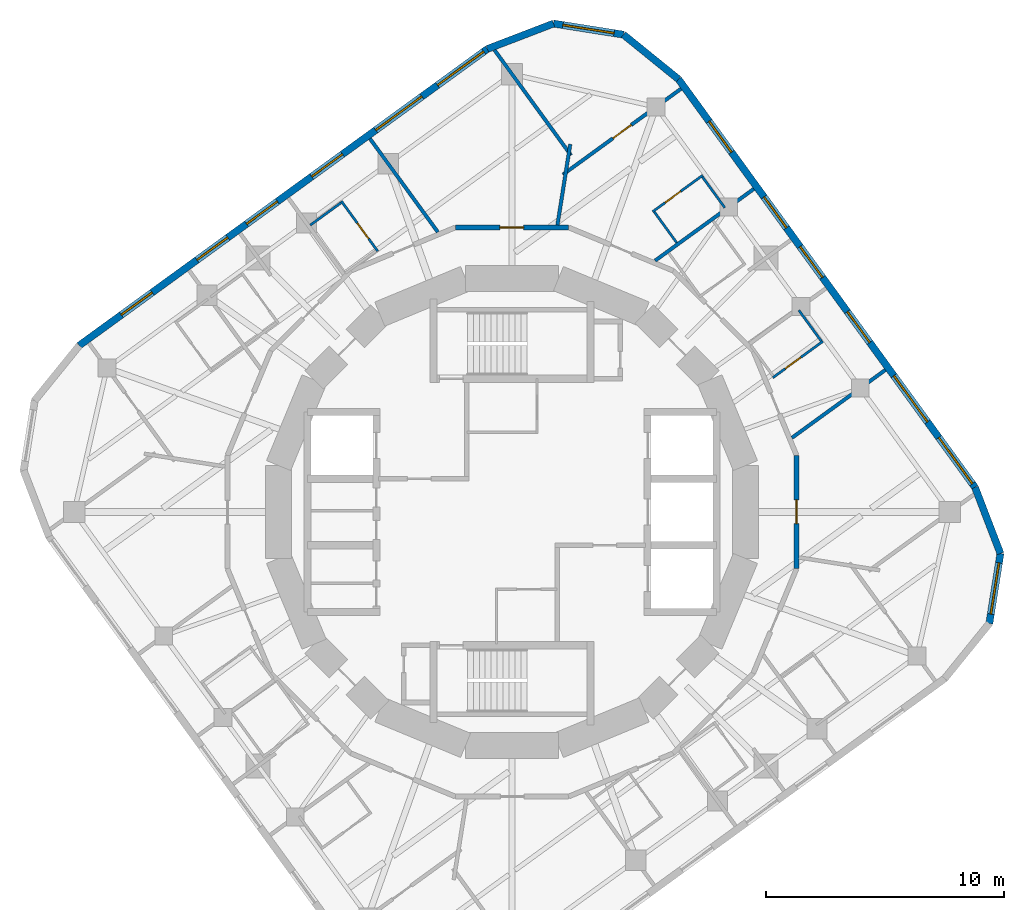
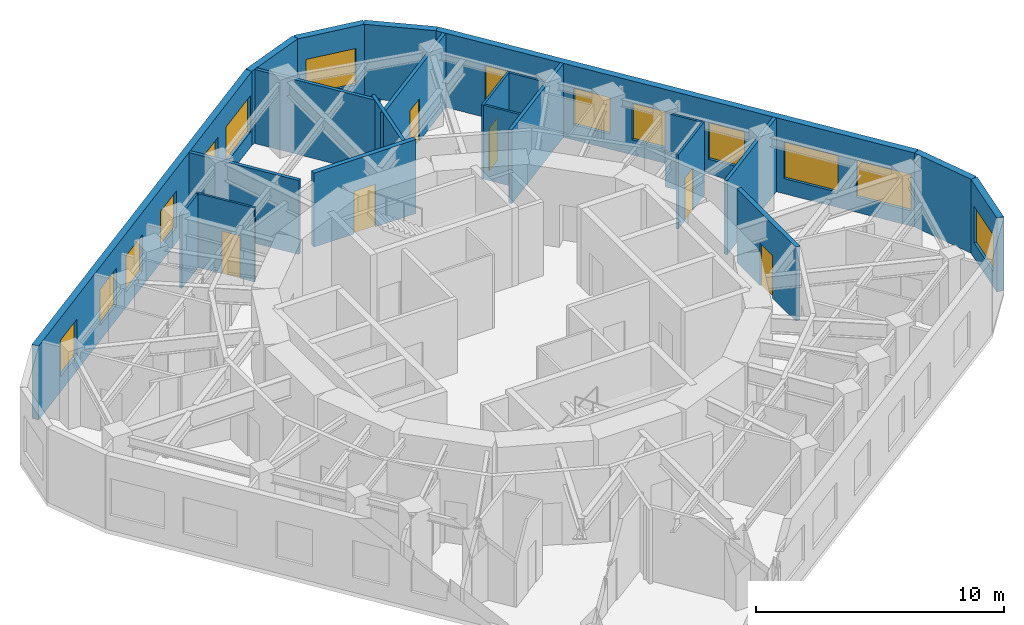
# One storey, part 7 of 9: 22 walls, 14 windows, 6 doors, 20 openings.
"""IFC4 building model written with IfcOpenShell, lengths in metres."""

from ifc_helpers import new_model, si_unit, direction, frame, frame_2d, origin, place, context, subcontext, project, spatial, rectangle, extrude, material, layer, layer_set, type_object, element, fill, save


model = new_model("IFC4")

# Units and contexts
model_context = context("Model", 3, precision=1e-05, world=origin(), true_north=direction((0.0, 1.0)))
body_context = subcontext(model_context, "Body", "Model", "MODEL_VIEW")
ifc_project = project(units=[si_unit("LENGTHUNIT", "METRE"), si_unit("AREAUNIT", "SQUARE_METRE"), si_unit("VOLUMEUNIT", "CUBIC_METRE"), si_unit("PLANEANGLEUNIT", "RADIAN"), si_unit("MASSUNIT", "GRAM", prefix="KILO")], contexts=[model_context])

# Site, building, storey
site_placement = place(None, origin())
site = spatial("IfcSite", under=ifc_project, at=site_placement, CompositionType="ELEMENT")
building_placement = place(site_placement, origin())
building = spatial("IfcBuilding", under=site, at=building_placement, Name="Nakasero Lantern House", CompositionType="ELEMENT")
storey_placement = place(building_placement, frame((0.0, 0.0, 271.449951171875)))
storey = spatial("IfcBuildingStorey", under=building, at=storey_placement, Name="L66", CompositionType="ELEMENT", Elevation=271.449951171875)

# Wall, opening, door
ifc_material_1 = material(Name="Blockwork", Category="masonry")
ifc_layer_1 = layer(ifc_material_1, 0.199951171875)
ifc_layer_set_1 = layer_set([ifc_layer_1], Name="Corridor wall 200")
wall_type_1 = type_object("IfcWallType", Name="Corridor wall 200", PredefinedType="PARTITIONING", material=ifc_layer_set_1)
wall_1_placement = place(storey_placement, frame((11.957763671875, 2.378662109375, 0.0), z_axis=(0.0, 0.0, 1.0), x_axis=(0.0, -1.0, 0.0)))
wall_1 = element("IfcWall", 1, at=wall_1_placement, inside=storey, type_object=wall_type_1, Name="Corridor wall L66 RC00a", PredefinedType="PARTITIONING", context=body_context, shape_type="SweptSolid", body=[
    extrude(rectangle(XDim=4.75732421875, YDim=0.199951171875, at=frame_2d((2.378662109375, 0.0))), origin(), (0.0, 0.0, 1.0), 3.650146484375),
])
opening_1_placement = place(wall_1_placement, frame((1.8701171875, 0.0, 0.0)))
opening_1 = element("IfcOpeningElement", 2, at=opening_1_placement, cuts=wall_1, Name="Opening D03", PredefinedType="OPENING", context=body_context, shape_type="SweptSolid", body=[
    extrude(rectangle(XDim=1.0, YDim=2.10009765625, at=frame_2d((0.5, 1.050048828125))), frame((0.0, 0.119873046875, 0.0), z_axis=(0.0, -1.0, 0.0), x_axis=(1.0, 0.0, 0.0)), (0.0, 0.0, 1.0), 0.239990234375),
])
ifc_material_2 = material(Name="Timber C24", Category="wood")
door_type_1 = type_object("IfcDoorType", Name="Lounge door FD30S 1000", OperationType="SINGLE_SWING_LEFT", PredefinedType="DOOR", material=ifc_material_2)
door_1_placement = place(opening_1_placement, origin())
door_1 = element("IfcDoor", 3, at=door_1_placement, inside=storey, type_object=door_type_1, Name="Door L66 DK0", OperationType="SINGLE_SWING_LEFT", OverallHeight=2.10009765625, OverallWidth=1.0, PredefinedType="DOOR", context=body_context, shape_type="SweptSolid", body=[
    extrude(rectangle(XDim=1.0, YDim=2.10009765625, at=frame_2d((0.5, 1.050048828125))), frame((0.0, 0.02490234375, 0.0), z_axis=(0.0, -1.0, 0.0), x_axis=(1.0, 0.0, 0.0)), (0.0, 0.0, 1.0), 0.050048828125),
])
fill(opening_1, door_1)

wall_2_placement = place(storey_placement, frame((-2.378662109375, 11.957763671875, 0.0), z_axis=(0.0, 0.0, 1.0), x_axis=(1.0, 0.0, 0.0)))
wall_2 = element("IfcWall", 4, at=wall_2_placement, inside=storey, type_object=wall_type_1, Name="Corridor wall L66 RC12a", PredefinedType="PARTITIONING", context=body_context, shape_type="SweptSolid", body=[
    extrude(rectangle(XDim=4.75732421875, YDim=0.199951171875, at=frame_2d((2.378662109375, 0.0))), origin(), (0.0, 0.0, 1.0), 3.650146484375),
])
opening_2_placement = place(wall_2_placement, frame((1.8701171875, 0.0, 0.0)))
opening_2 = element("IfcOpeningElement", 5, at=opening_2_placement, cuts=wall_2, Name="Opening D03", PredefinedType="OPENING", context=body_context, shape_type="SweptSolid", body=[
    extrude(rectangle(XDim=1.0, YDim=2.10009765625, at=frame_2d((0.5, 1.050048828125))), frame((0.0, 0.119873046875, 0.0), z_axis=(0.0, -1.0, 0.0), x_axis=(1.0, 0.0, 0.0)), (0.0, 0.0, 1.0), 0.239990234375),
])
door_2_placement = place(opening_2_placement, origin())
door_2 = element("IfcDoor", 6, at=door_2_placement, inside=storey, type_object=door_type_1, Name="Door L66 DK1", OperationType="SINGLE_SWING_LEFT", OverallHeight=2.10009765625, OverallWidth=1.0, PredefinedType="DOOR", context=body_context, shape_type="SweptSolid", body=[
    extrude(rectangle(XDim=1.0, YDim=2.10009765625, at=frame_2d((0.5, 1.050048828125))), frame((0.0, 0.02490234375, 0.0), z_axis=(0.0, -1.0, 0.0), x_axis=(1.0, 0.0, 0.0)), (0.0, 0.0, 1.0), 0.050048828125),
])
fill(opening_2, door_2)

ifc_material_3 = material(Name="Blockwork", Category="masonry")
ifc_layer_2 = layer(ifc_material_3, 0.10009765625)
ifc_layer_set_2 = layer_set([ifc_layer_2], Name="En-suite wall 100")
wall_type_2 = type_object("IfcWallType", Name="En-suite wall 100", PredefinedType="PARTITIONING", material=ifc_layer_set_2)
wall_3_placement = place(storey_placement, frame((10.960693359375, 5.643798828125, 0.0), z_axis=(0.0, 0.0, 1.0), x_axis=(0.80902431253, 0.587775179585, 0.0)))
wall_3 = element("IfcWall", 7, at=wall_3_placement, inside=storey, type_object=wall_type_2, Name="En-suite wall L66 ES0-03", PredefinedType="PARTITIONING", context=body_context, shape_type="SweptSolid", body=[
    extrude(rectangle(XDim=2.599853515625, YDim=0.10009765625, at=frame_2d((1.2998046875, 0.0))), origin(), (0.0, 0.0, 1.0), 3.650146484375),
])
opening_3_placement = place(wall_3_placement, frame((0.64990234375, 0.0, 0.0)))
opening_3 = element("IfcOpeningElement", 8, at=opening_3_placement, cuts=wall_3, Name="Opening D02", PredefinedType="OPENING", context=body_context, shape_type="SweptSolid", body=[
    extrude(rectangle(XDim=0.800048828125, YDim=2.10009765625, at=frame_2d((0.39990234375, 1.050048828125))), frame((0.0, 0.070068359375, 0.0), z_axis=(0.0, -1.0, 0.0), x_axis=(1.0, 0.0, 0.0)), (0.0, 0.0, 1.0), 0.14013671875),
])
ifc_material_4 = material(Name="Timber C24", Category="wood")
door_type_2 = type_object("IfcDoorType", Name="En-suite door 800", OperationType="SINGLE_SWING_RIGHT", PredefinedType="DOOR", material=ifc_material_4)
door_3_placement = place(opening_3_placement, origin())
door_3 = element("IfcDoor", 9, at=door_3_placement, inside=storey, type_object=door_type_2, Name="Door L66 DE0-03", OperationType="SINGLE_SWING_LEFT", OverallHeight=2.10009765625, OverallWidth=0.800048828125, PredefinedType="DOOR", context=body_context, shape_type="SweptSolid", body=[
    extrude(rectangle(XDim=0.800048828125, YDim=2.10009765625, at=frame_2d((0.39990234375, 1.050048828125))), frame((0.0, 0.02490234375, 0.0), z_axis=(0.0, -1.0, 0.0), x_axis=(1.0, 0.0, 0.0)), (0.0, 0.0, 1.0), 0.050048828125),
])
fill(opening_3, door_3)

# Wall
wall_4_placement = place(storey_placement, frame((12.994140625, 7.18310546875, 0.0), z_axis=(0.0, 0.0, 1.0), x_axis=(-0.587772420479, 0.809026317077, 0.0)))
element("IfcWall", 10, at=wall_4_placement, inside=storey, type_object=wall_type_2, Name="En-suite wall L66 EE0-03", PredefinedType="PARTITIONING", context=body_context, shape_type="SweptSolid", body=[
    extrude(rectangle(XDim=1.60009765625, YDim=0.10009765625, at=frame_2d((0.800048828125, 0.0))), origin(), (0.0, 0.0, 1.0), 3.650146484375),
])

# Wall, opening, door
wall_5_placement = place(storey_placement, frame((5.91162109375, 12.619384765625, 0.0), z_axis=(0.0, 0.0, 1.0), x_axis=(0.809056752413, 0.587730526155, 0.0)))
wall_5 = element("IfcWall", 11, at=wall_5_placement, inside=storey, type_object=wall_type_2, Name="En-suite wall L66 ES0-06", PredefinedType="PARTITIONING", context=body_context, shape_type="SweptSolid", body=[
    extrude(rectangle(XDim=2.599853515625, YDim=0.10009765625, at=frame_2d((1.2998046875, 0.0))), origin(), (0.0, 0.0, 1.0), 3.650146484375),
])
opening_4_placement = place(wall_5_placement, frame((0.64990234375, 0.0, 0.0)))
opening_4 = element("IfcOpeningElement", 12, at=opening_4_placement, cuts=wall_5, Name="Opening D02", PredefinedType="OPENING", context=body_context, shape_type="SweptSolid", body=[
    extrude(rectangle(XDim=0.800048828125, YDim=2.10009765625, at=frame_2d((0.39990234375, 1.050048828125))), frame((0.0, 0.070068359375, 0.0), z_axis=(0.0, -1.0, 0.0), x_axis=(1.0, 0.0, 0.0)), (0.0, 0.0, 1.0), 0.14013671875),
])
door_4_placement = place(opening_4_placement, origin())
door_4 = element("IfcDoor", 13, at=door_4_placement, inside=storey, type_object=door_type_2, Name="Door L66 DE0-06", OperationType="SINGLE_SWING_LEFT", OverallHeight=2.10009765625, OverallWidth=0.800048828125, PredefinedType="DOOR", context=body_context, shape_type="SweptSolid", body=[
    extrude(rectangle(XDim=0.800048828125, YDim=2.10009765625, at=frame_2d((0.39990234375, 1.050048828125))), frame((0.0, 0.02490234375, 0.0), z_axis=(0.0, -1.0, 0.0), x_axis=(1.0, 0.0, 0.0)), (0.0, 0.0, 1.0), 0.050048828125),
])
fill(opening_4, door_4)

# Walls
for number, where, z_axis, x_axis, name in (
    (14, (8.9443359375, 12.783203125, 0.0), (0.0, 0.0, 1.0), (-0.587772420479, 0.809026317077, 0.0), "En-suite wall L66 EE0-06"),
    (15, (6.921875, 11.313720703125, 0.0), (0.0, 0.0, 1.0), (-0.587772420479, 0.809026317077, 0.0), "En-suite wall L66 EI0-06"),
):
    element("IfcWall", number, at=place(storey_placement, frame(where, z_axis=z_axis, x_axis=x_axis)), inside=storey, type_object=wall_type_2, Name=name, PredefinedType="PARTITIONING", context=body_context, shape_type="SweptSolid", body=[
        extrude(rectangle(XDim=1.60009765625, YDim=0.10009765625, at=frame_2d((0.800048828125, 0.0))), origin(), (0.0, 0.0, 1.0), 3.650146484375),
    ])

# Wall, opening, door
wall_6_placement = place(storey_placement, frame((-5.643798828125, 10.960693359375, 0.0), z_axis=(0.0, 0.0, 1.0), x_axis=(-0.587775179585, 0.80902431253, 0.0)))
wall_6 = element("IfcWall", 16, at=wall_6_placement, inside=storey, type_object=wall_type_2, Name="En-suite wall L66 ES1-03", PredefinedType="PARTITIONING", context=body_context, shape_type="SweptSolid", body=[
    extrude(rectangle(XDim=2.599853515625, YDim=0.10009765625, at=frame_2d((1.2998046875, 0.0))), origin(), (0.0, 0.0, 1.0), 3.650146484375),
])
opening_5_placement = place(wall_6_placement, frame((0.64990234375, 0.0, 0.0)))
opening_5 = element("IfcOpeningElement", 17, at=opening_5_placement, cuts=wall_6, Name="Opening D02", PredefinedType="OPENING", context=body_context, shape_type="SweptSolid", body=[
    extrude(rectangle(XDim=0.800048828125, YDim=2.10009765625, at=frame_2d((0.39990234375, 1.050048828125))), frame((0.0, 0.070068359375, 0.0), z_axis=(0.0, -1.0, 0.0), x_axis=(1.0, 0.0, 0.0)), (0.0, 0.0, 1.0), 0.14013671875),
])
door_5_placement = place(opening_5_placement, origin())
door_5 = element("IfcDoor", 18, at=door_5_placement, inside=storey, type_object=door_type_2, Name="Door L66 DE1-03", OperationType="SINGLE_SWING_LEFT", OverallHeight=2.10009765625, OverallWidth=0.800048828125, PredefinedType="DOOR", context=body_context, shape_type="SweptSolid", body=[
    extrude(rectangle(XDim=0.800048828125, YDim=2.10009765625, at=frame_2d((0.39990234375, 1.050048828125))), frame((0.0, 0.02490234375, 0.0), z_axis=(0.0, -1.0, 0.0), x_axis=(1.0, 0.0, 0.0)), (0.0, 0.0, 1.0), 0.050048828125),
])
fill(opening_5, door_5)

# Wall
wall_7_placement = place(storey_placement, frame((-7.18310546875, 12.994140625, 0.0), z_axis=(0.0, 0.0, 1.0), x_axis=(-0.809026317077, -0.587772420479, 0.0)))
element("IfcWall", 19, at=wall_7_placement, inside=storey, type_object=wall_type_2, Name="En-suite wall L66 EE1-03", PredefinedType="PARTITIONING", context=body_context, shape_type="SweptSolid", body=[
    extrude(rectangle(XDim=1.60009765625, YDim=0.10009765625, at=frame_2d((0.800048828125, 0.0))), origin(), (0.0, 0.0, 1.0), 3.650146484375),
])

# Wall, openings, windows
ifc_material_5 = material(Name="Aluminium rainscreen on blockwork", Category="masonry")
ifc_layer_3 = layer(ifc_material_5, 0.300048828125)
ifc_layer_set_3 = layer_set([ifc_layer_3], Name="Facade wall 300")
wall_type_3 = type_object("IfcWallType", Name="Facade wall 300", PredefinedType="SOLIDWALL", material=ifc_layer_set_3)
wall_8_placement = place(storey_placement, frame((19.4580078125, 1.03466796875, 0.0), z_axis=(0.0, 0.0, 1.0), x_axis=(-0.587790233451, 0.809013375328, 0.0)))
wall_8 = element("IfcWall", 20, at=wall_8_placement, inside=storey, type_object=wall_type_3, Name="Facade wall L66 FW0S", PredefinedType="SOLIDWALL", context=body_context, shape_type="SweptSolid", body=[
    extrude(rectangle(XDim=21.199951171875, YDim=0.300048828125, at=frame_2d((10.60009765625, 0.0))), origin(), (0.0, 0.0, 1.0), 3.650146484375),
])
opening_6_placement = place(wall_8_placement, frame((7.52783203125, 0.0, 0.75)))
opening_6 = element("IfcOpeningElement", 21, at=opening_6_placement, cuts=wall_8, Name="Opening W01", PredefinedType="OPENING", context=body_context, shape_type="SweptSolid", body=[
    extrude(rectangle(XDim=1.60009765625, YDim=1.800048828125, at=frame_2d((0.800048828125, 0.89990234375))), frame((0.0, 0.169921875, 0.0), z_axis=(0.0, -1.0, 0.0), x_axis=(1.0, 0.0, 0.0)), (0.0, 0.0, 1.0), 0.340087890625),
])
opening_7_placement = place(wall_8_placement, frame((10.904052734375, 0.0, 0.75)))
opening_7 = element("IfcOpeningElement", 22, at=opening_7_placement, cuts=wall_8, Name="Opening W01", PredefinedType="OPENING", context=body_context, shape_type="SweptSolid", body=[
    extrude(rectangle(XDim=1.60009765625, YDim=1.800048828125, at=frame_2d((0.800048828125, 0.89990234375))), frame((0.0, 0.169921875, 0.0), z_axis=(0.0, -1.0, 0.0), x_axis=(1.0, 0.0, 0.0)), (0.0, 0.0, 1.0), 0.340087890625),
])
opening_8_placement = place(wall_8_placement, frame((13.484619140625, 0.0, 0.75)))
opening_8 = element("IfcOpeningElement", 23, at=opening_8_placement, cuts=wall_8, Name="Opening W01", PredefinedType="OPENING", context=body_context, shape_type="SweptSolid", body=[
    extrude(rectangle(XDim=1.60009765625, YDim=1.800048828125, at=frame_2d((0.800048828125, 0.89990234375))), frame((0.0, 0.169921875, 0.0), z_axis=(0.0, -1.0, 0.0), x_axis=(1.0, 0.0, 0.0)), (0.0, 0.0, 1.0), 0.340087890625),
])
opening_9_placement = place(wall_8_placement, frame((17.410888671875, 0.0, 0.75)))
opening_9 = element("IfcOpeningElement", 24, at=opening_9_placement, cuts=wall_8, Name="Opening W01", PredefinedType="OPENING", context=body_context, shape_type="SweptSolid", body=[
    extrude(rectangle(XDim=1.60009765625, YDim=1.800048828125, at=frame_2d((0.800048828125, 0.89990234375))), frame((0.0, 0.169921875, 0.0), z_axis=(0.0, -1.0, 0.0), x_axis=(1.0, 0.0, 0.0)), (0.0, 0.0, 1.0), 0.340087890625),
])
opening_10_placement = place(wall_8_placement, frame((0.1904296875, 0.0, 0.75)))
opening_10 = element("IfcOpeningElement", 25, at=opening_10_placement, cuts=wall_8, Name="Opening W03", PredefinedType="OPENING", context=body_context, shape_type="SweptSolid", body=[
    extrude(rectangle(XDim=2.39990234375, YDim=1.800048828125, at=frame_2d((1.199951171875, 0.89990234375))), frame((0.0, 0.169921875, 0.0), z_axis=(0.0, -1.0, 0.0), x_axis=(1.0, 0.0, 0.0)), (0.0, 0.0, 1.0), 0.340087890625),
])
opening_11_placement = place(wall_8_placement, frame((3.401611328125, 0.0, 0.75)))
opening_11 = element("IfcOpeningElement", 26, at=opening_11_placement, cuts=wall_8, Name="Opening W03", PredefinedType="OPENING", context=body_context, shape_type="SweptSolid", body=[
    extrude(rectangle(XDim=2.39990234375, YDim=1.800048828125, at=frame_2d((1.199951171875, 0.89990234375))), frame((0.0, 0.169921875, 0.0), z_axis=(0.0, -1.0, 0.0), x_axis=(1.0, 0.0, 0.0)), (0.0, 0.0, 1.0), 0.340087890625),
])
ifc_material_6 = material(Name="Aluminium 6063-T6 and glass", Category="aluminium")
window_type_1 = type_object("IfcWindowType", Name="Bedroom window 1600x1800", PartitioningType="SINGLE_PANEL", PredefinedType="WINDOW", material=ifc_material_6)
window_1_placement = place(opening_6_placement, origin())
window_1 = element("IfcWindow", 27, at=window_1_placement, inside=storey, type_object=window_type_1, Name="Window L66 WN0-03", OverallHeight=1.800048828125, OverallWidth=1.60009765625, PartitioningType="SINGLE_PANEL", PredefinedType="WINDOW", context=body_context, shape_type="SweptSolid", body=[
    extrude(rectangle(XDim=1.60009765625, YDim=1.800048828125, at=frame_2d((0.800048828125, 0.89990234375))), frame((0.0, 0.030029296875, 0.0), z_axis=(0.0, -1.0, 0.0), x_axis=(1.0, 0.0, 0.0)), (0.0, 0.0, 1.0), 0.06005859375),
])
fill(opening_6, window_1)
window_2_placement = place(opening_7_placement, origin())
window_2 = element("IfcWindow", 28, at=window_2_placement, inside=storey, type_object=window_type_1, Name="Window L66 WN0-04", OverallHeight=1.800048828125, OverallWidth=1.60009765625, PartitioningType="SINGLE_PANEL", PredefinedType="WINDOW", context=body_context, shape_type="SweptSolid", body=[
    extrude(rectangle(XDim=1.60009765625, YDim=1.800048828125, at=frame_2d((0.800048828125, 0.89990234375))), frame((0.0, 0.030029296875, 0.0), z_axis=(0.0, -1.0, 0.0), x_axis=(1.0, 0.0, 0.0)), (0.0, 0.0, 1.0), 0.06005859375),
])
fill(opening_7, window_2)
window_3_placement = place(opening_8_placement, origin())
window_3 = element("IfcWindow", 29, at=window_3_placement, inside=storey, type_object=window_type_1, Name="Window L66 WN0-05", OverallHeight=1.800048828125, OverallWidth=1.60009765625, PartitioningType="SINGLE_PANEL", PredefinedType="WINDOW", context=body_context, shape_type="SweptSolid", body=[
    extrude(rectangle(XDim=1.60009765625, YDim=1.800048828125, at=frame_2d((0.800048828125, 0.89990234375))), frame((0.0, 0.030029296875, 0.0), z_axis=(0.0, -1.0, 0.0), x_axis=(1.0, 0.0, 0.0)), (0.0, 0.0, 1.0), 0.06005859375),
])
fill(opening_8, window_3)
window_4_placement = place(opening_9_placement, origin())
window_4 = element("IfcWindow", 30, at=window_4_placement, inside=storey, type_object=window_type_1, Name="Window L66 WN0-06", OverallHeight=1.800048828125, OverallWidth=1.60009765625, PartitioningType="SINGLE_PANEL", PredefinedType="WINDOW", context=body_context, shape_type="SweptSolid", body=[
    extrude(rectangle(XDim=1.60009765625, YDim=1.800048828125, at=frame_2d((0.800048828125, 0.89990234375))), frame((0.0, 0.030029296875, 0.0), z_axis=(0.0, -1.0, 0.0), x_axis=(1.0, 0.0, 0.0)), (0.0, 0.0, 1.0), 0.06005859375),
])
fill(opening_9, window_4)
ifc_material_7 = material(Name="Aluminium 6063-T6 and glass", Category="aluminium")
window_type_2 = type_object("IfcWindowType", Name="Lounge window 2400x1800", PartitioningType="SINGLE_PANEL", PredefinedType="WINDOW", material=ifc_material_7)
window_5_placement = place(opening_10_placement, origin())
window_5 = element("IfcWindow", 31, at=window_5_placement, inside=storey, type_object=window_type_2, Name="Window L66 WK0", OverallHeight=1.800048828125, OverallWidth=2.39990234375, PartitioningType="SINGLE_PANEL", PredefinedType="WINDOW", context=body_context, shape_type="SweptSolid", body=[
    extrude(rectangle(XDim=2.39990234375, YDim=1.800048828125, at=frame_2d((1.199951171875, 0.89990234375))), frame((0.0, 0.030029296875, 0.0), z_axis=(0.0, -1.0, 0.0), x_axis=(1.0, 0.0, 0.0)), (0.0, 0.0, 1.0), 0.06005859375),
])
fill(opening_10, window_5)
window_6_placement = place(opening_11_placement, origin())
window_6 = element("IfcWindow", 32, at=window_6_placement, inside=storey, type_object=window_type_2, Name="Window L66 WL0", OverallHeight=1.800048828125, OverallWidth=2.39990234375, PartitioningType="SINGLE_PANEL", PredefinedType="WINDOW", context=body_context, shape_type="SweptSolid", body=[
    extrude(rectangle(XDim=2.39990234375, YDim=1.800048828125, at=frame_2d((1.199951171875, 0.89990234375))), frame((0.0, 0.030029296875, 0.0), z_axis=(0.0, -1.0, 0.0), x_axis=(1.0, 0.0, 0.0)), (0.0, 0.0, 1.0), 0.06005859375),
])
fill(opening_11, window_6)

# Wall
wall_9_placement = place(storey_placement, frame((6.996826171875, 18.185791015625, 0.0), z_axis=(0.0, 0.0, 1.0), x_axis=(-0.777101588319, 0.629375183362, 0.0)))
element("IfcWall", 33, at=wall_9_placement, inside=storey, type_object=wall_type_3, Name="Facade wall L66 FW0C1", PredefinedType="SOLIDWALL", context=body_context, shape_type="SweptSolid", body=[
    extrude(rectangle(XDim=2.976318359375, YDim=0.300048828125, at=frame_2d((1.48828125, 0.0))), origin(), (0.0, 0.0, 1.0), 3.650146484375),
])

# Wall, opening, window
wall_10_placement = place(storey_placement, frame((4.683837890625, 20.05908203125, 0.0), z_axis=(0.0, 0.0, 1.0), x_axis=(-0.987691704133, 0.156413227021, 0.0)))
wall_10 = element("IfcWall", 34, at=wall_10_placement, inside=storey, type_object=wall_type_3, Name="Facade wall L66 FW0C2", PredefinedType="SOLIDWALL", context=body_context, shape_type="SweptSolid", body=[
    extrude(rectangle(XDim=2.9765625, YDim=0.300048828125, at=frame_2d((1.48828125, 0.0))), origin(), (0.0, 0.0, 1.0), 3.650146484375),
])
opening_12_placement = place(wall_10_placement, frame((0.39990234375, 0.0, 0.75)))
opening_12 = element("IfcOpeningElement", 35, at=opening_12_placement, cuts=wall_10, Name="Opening W221", PredefinedType="OPENING", context=body_context, shape_type="SweptSolid", body=[
    extrude(rectangle(XDim=2.176025390625, YDim=1.800048828125, at=frame_2d((1.087890625, 0.89990234375))), frame((0.0, 0.169921875, 0.0), z_axis=(0.0, -1.0, 0.0), x_axis=(1.0, 0.0, 0.0)), (0.0, 0.0, 1.0), 0.340087890625),
])
ifc_material_8 = material(Name="Aluminium 6063-T6 and glass", Category="aluminium")
window_type_3 = type_object("IfcWindowType", Name="Corner window 2176x1800", PartitioningType="SINGLE_PANEL", PredefinedType="WINDOW", material=ifc_material_8)
window_7_placement = place(opening_12_placement, origin())
window_7 = element("IfcWindow", 36, at=window_7_placement, inside=storey, type_object=window_type_3, Name="Window L66 WC0", OverallHeight=1.800048828125, OverallWidth=2.176025390625, PartitioningType="SINGLE_PANEL", PredefinedType="WINDOW", context=body_context, shape_type="SweptSolid", body=[
    extrude(rectangle(XDim=2.176025390625, YDim=1.800048828125, at=frame_2d((1.087890625, 0.89990234375))), frame((0.0, 0.030029296875, 0.0), z_axis=(0.0, -1.0, 0.0), x_axis=(1.0, 0.0, 0.0)), (0.0, 0.0, 1.0), 0.06005859375),
])
fill(opening_12, window_7)

# Wall
wall_11_placement = place(storey_placement, frame((1.743896484375, 20.524658203125, 0.0), z_axis=(0.0, 0.0, 1.0), x_axis=(-0.933573745966, -0.35838535244, 0.0)))
element("IfcWall", 37, at=wall_11_placement, inside=storey, type_object=wall_type_3, Name="Facade wall L66 FW0C3", PredefinedType="SOLIDWALL", context=body_context, shape_type="SweptSolid", body=[
    extrude(rectangle(XDim=2.976318359375, YDim=0.300048828125, at=frame_2d((1.48828125, 0.0))), origin(), (0.0, 0.0, 1.0), 3.650146484375),
])

# Wall, openings, windows
wall_12_placement = place(storey_placement, frame((-1.03466796875, 19.4580078125, 0.0), z_axis=(0.0, 0.0, 1.0), x_axis=(-0.809013375328, -0.587790233451, 0.0)))
wall_12 = element("IfcWall", 38, at=wall_12_placement, inside=storey, type_object=wall_type_3, Name="Facade wall L66 FW1S", PredefinedType="SOLIDWALL", context=body_context, shape_type="SweptSolid", body=[
    extrude(rectangle(XDim=21.199951171875, YDim=0.300048828125, at=frame_2d((10.60009765625, 0.0))), origin(), (0.0, 0.0, 1.0), 3.650146484375),
])
opening_13_placement = place(wall_12_placement, frame((7.52783203125, 0.0, 0.75)))
opening_13 = element("IfcOpeningElement", 39, at=opening_13_placement, cuts=wall_12, Name="Opening W01", PredefinedType="OPENING", context=body_context, shape_type="SweptSolid", body=[
    extrude(rectangle(XDim=1.60009765625, YDim=1.800048828125, at=frame_2d((0.800048828125, 0.89990234375))), frame((0.0, 0.169921875, 0.0), z_axis=(0.0, -1.0, 0.0), x_axis=(1.0, 0.0, 0.0)), (0.0, 0.0, 1.0), 0.340087890625),
])
opening_14_placement = place(wall_12_placement, frame((10.904052734375, 0.0, 0.75)))
opening_14 = element("IfcOpeningElement", 40, at=opening_14_placement, cuts=wall_12, Name="Opening W01", PredefinedType="OPENING", context=body_context, shape_type="SweptSolid", body=[
    extrude(rectangle(XDim=1.60009765625, YDim=1.800048828125, at=frame_2d((0.800048828125, 0.89990234375))), frame((0.0, 0.169921875, 0.0), z_axis=(0.0, -1.0, 0.0), x_axis=(1.0, 0.0, 0.0)), (0.0, 0.0, 1.0), 0.340087890625),
])
opening_15_placement = place(wall_12_placement, frame((13.484619140625, 0.0, 0.75)))
opening_15 = element("IfcOpeningElement", 41, at=opening_15_placement, cuts=wall_12, Name="Opening W01", PredefinedType="OPENING", context=body_context, shape_type="SweptSolid", body=[
    extrude(rectangle(XDim=1.60009765625, YDim=1.800048828125, at=frame_2d((0.800048828125, 0.89990234375))), frame((0.0, 0.169921875, 0.0), z_axis=(0.0, -1.0, 0.0), x_axis=(1.0, 0.0, 0.0)), (0.0, 0.0, 1.0), 0.340087890625),
])
opening_16_placement = place(wall_12_placement, frame((17.410888671875, 0.0, 0.75)))
opening_16 = element("IfcOpeningElement", 42, at=opening_16_placement, cuts=wall_12, Name="Opening W01", PredefinedType="OPENING", context=body_context, shape_type="SweptSolid", body=[
    extrude(rectangle(XDim=1.60009765625, YDim=1.800048828125, at=frame_2d((0.800048828125, 0.89990234375))), frame((0.0, 0.169921875, 0.0), z_axis=(0.0, -1.0, 0.0), x_axis=(1.0, 0.0, 0.0)), (0.0, 0.0, 1.0), 0.340087890625),
])
opening_17_placement = place(wall_12_placement, frame((0.1904296875, 0.0, 0.75)))
opening_17 = element("IfcOpeningElement", 43, at=opening_17_placement, cuts=wall_12, Name="Opening W03", PredefinedType="OPENING", context=body_context, shape_type="SweptSolid", body=[
    extrude(rectangle(XDim=2.39990234375, YDim=1.800048828125, at=frame_2d((1.199951171875, 0.89990234375))), frame((0.0, 0.169921875, 0.0), z_axis=(0.0, -1.0, 0.0), x_axis=(1.0, 0.0, 0.0)), (0.0, 0.0, 1.0), 0.340087890625),
])
opening_18_placement = place(wall_12_placement, frame((3.401611328125, 0.0, 0.75)))
opening_18 = element("IfcOpeningElement", 44, at=opening_18_placement, cuts=wall_12, Name="Opening W03", PredefinedType="OPENING", context=body_context, shape_type="SweptSolid", body=[
    extrude(rectangle(XDim=2.39990234375, YDim=1.800048828125, at=frame_2d((1.199951171875, 0.89990234375))), frame((0.0, 0.169921875, 0.0), z_axis=(0.0, -1.0, 0.0), x_axis=(1.0, 0.0, 0.0)), (0.0, 0.0, 1.0), 0.340087890625),
])
window_8_placement = place(opening_13_placement, origin())
window_8 = element("IfcWindow", 45, at=window_8_placement, inside=storey, type_object=window_type_1, Name="Window L66 WN1-03", OverallHeight=1.800048828125, OverallWidth=1.60009765625, PartitioningType="SINGLE_PANEL", PredefinedType="WINDOW", context=body_context, shape_type="SweptSolid", body=[
    extrude(rectangle(XDim=1.60009765625, YDim=1.800048828125, at=frame_2d((0.800048828125, 0.89990234375))), frame((0.0, 0.030029296875, 0.0), z_axis=(0.0, -1.0, 0.0), x_axis=(1.0, 0.0, 0.0)), (0.0, 0.0, 1.0), 0.06005859375),
])
fill(opening_13, window_8)
window_9_placement = place(opening_14_placement, origin())
window_9 = element("IfcWindow", 46, at=window_9_placement, inside=storey, type_object=window_type_1, Name="Window L66 WN1-04", OverallHeight=1.800048828125, OverallWidth=1.60009765625, PartitioningType="SINGLE_PANEL", PredefinedType="WINDOW", context=body_context, shape_type="SweptSolid", body=[
    extrude(rectangle(XDim=1.60009765625, YDim=1.800048828125, at=frame_2d((0.800048828125, 0.89990234375))), frame((0.0, 0.030029296875, 0.0), z_axis=(0.0, -1.0, 0.0), x_axis=(1.0, 0.0, 0.0)), (0.0, 0.0, 1.0), 0.06005859375),
])
fill(opening_14, window_9)
window_10_placement = place(opening_15_placement, origin())
window_10 = element("IfcWindow", 47, at=window_10_placement, inside=storey, type_object=window_type_1, Name="Window L66 WN1-05", OverallHeight=1.800048828125, OverallWidth=1.60009765625, PartitioningType="SINGLE_PANEL", PredefinedType="WINDOW", context=body_context, shape_type="SweptSolid", body=[
    extrude(rectangle(XDim=1.60009765625, YDim=1.800048828125, at=frame_2d((0.800048828125, 0.89990234375))), frame((0.0, 0.030029296875, 0.0), z_axis=(0.0, -1.0, 0.0), x_axis=(1.0, 0.0, 0.0)), (0.0, 0.0, 1.0), 0.06005859375),
])
fill(opening_15, window_10)
window_11_placement = place(opening_16_placement, origin())
window_11 = element("IfcWindow", 48, at=window_11_placement, inside=storey, type_object=window_type_1, Name="Window L66 WN1-06", OverallHeight=1.800048828125, OverallWidth=1.60009765625, PartitioningType="SINGLE_PANEL", PredefinedType="WINDOW", context=body_context, shape_type="SweptSolid", body=[
    extrude(rectangle(XDim=1.60009765625, YDim=1.800048828125, at=frame_2d((0.800048828125, 0.89990234375))), frame((0.0, 0.030029296875, 0.0), z_axis=(0.0, -1.0, 0.0), x_axis=(1.0, 0.0, 0.0)), (0.0, 0.0, 1.0), 0.06005859375),
])
fill(opening_16, window_11)
window_12_placement = place(opening_17_placement, origin())
window_12 = element("IfcWindow", 49, at=window_12_placement, inside=storey, type_object=window_type_2, Name="Window L66 WK1", OverallHeight=1.800048828125, OverallWidth=2.39990234375, PartitioningType="SINGLE_PANEL", PredefinedType="WINDOW", context=body_context, shape_type="SweptSolid", body=[
    extrude(rectangle(XDim=2.39990234375, YDim=1.800048828125, at=frame_2d((1.199951171875, 0.89990234375))), frame((0.0, 0.030029296875, 0.0), z_axis=(0.0, -1.0, 0.0), x_axis=(1.0, 0.0, 0.0)), (0.0, 0.0, 1.0), 0.06005859375),
])
fill(opening_17, window_12)
window_13_placement = place(opening_18_placement, origin())
window_13 = element("IfcWindow", 50, at=window_13_placement, inside=storey, type_object=window_type_2, Name="Window L66 WL1", OverallHeight=1.800048828125, OverallWidth=2.39990234375, PartitioningType="SINGLE_PANEL", PredefinedType="WINDOW", context=body_context, shape_type="SweptSolid", body=[
    extrude(rectangle(XDim=2.39990234375, YDim=1.800048828125, at=frame_2d((1.199951171875, 0.89990234375))), frame((0.0, 0.030029296875, 0.0), z_axis=(0.0, -1.0, 0.0), x_axis=(1.0, 0.0, 0.0)), (0.0, 0.0, 1.0), 0.06005859375),
])
fill(opening_18, window_13)

# Wall, opening, window
wall_13_placement = place(storey_placement, frame((20.05908203125, -4.683837890625, 0.0), z_axis=(0.0, 0.0, 1.0), x_axis=(0.156413227021, 0.987691704133, 0.0)))
wall_13 = element("IfcWall", 51, at=wall_13_placement, inside=storey, type_object=wall_type_3, Name="Facade wall L66 FW3C2", PredefinedType="SOLIDWALL", context=body_context, shape_type="SweptSolid", body=[
    extrude(rectangle(XDim=2.9765625, YDim=0.300048828125, at=frame_2d((1.48828125, 0.0))), origin(), (0.0, 0.0, 1.0), 3.650146484375),
])
opening_19_placement = place(wall_13_placement, frame((0.39990234375, 0.0, 0.75)))
opening_19 = element("IfcOpeningElement", 52, at=opening_19_placement, cuts=wall_13, Name="Opening W221", PredefinedType="OPENING", context=body_context, shape_type="SweptSolid", body=[
    extrude(rectangle(XDim=2.176025390625, YDim=1.800048828125, at=frame_2d((1.087890625, 0.89990234375))), frame((0.0, 0.169921875, 0.0), z_axis=(0.0, -1.0, 0.0), x_axis=(1.0, 0.0, 0.0)), (0.0, 0.0, 1.0), 0.340087890625),
])
window_14_placement = place(opening_19_placement, origin())
window_14 = element("IfcWindow", 53, at=window_14_placement, inside=storey, type_object=window_type_3, Name="Window L66 WC3", OverallHeight=1.800048828125, OverallWidth=2.176025390625, PartitioningType="SINGLE_PANEL", PredefinedType="WINDOW", context=body_context, shape_type="SweptSolid", body=[
    extrude(rectangle(XDim=2.176025390625, YDim=1.800048828125, at=frame_2d((1.087890625, 0.89990234375))), frame((0.0, 0.030029296875, 0.0), z_axis=(0.0, -1.0, 0.0), x_axis=(1.0, 0.0, 0.0)), (0.0, 0.0, 1.0), 0.06005859375),
])
fill(opening_19, window_14)

# Walls
wall_14_placement = place(storey_placement, frame((20.524658203125, -1.743896484375, 0.0), z_axis=(0.0, 0.0, 1.0), x_axis=(-0.35838535244, 0.933573745966, 0.0)))
element("IfcWall", 54, at=wall_14_placement, inside=storey, type_object=wall_type_3, Name="Facade wall L66 FW3C3", PredefinedType="SOLIDWALL", context=body_context, shape_type="SweptSolid", body=[
    extrude(rectangle(XDim=2.976318359375, YDim=0.300048828125, at=frame_2d((1.48828125, 0.0))), origin(), (0.0, 0.0, 1.0), 3.650146484375),
])
ifc_material_9 = material(Name="Blockwork", Category="masonry")
ifc_layer_4 = layer(ifc_material_9, 0.14990234375)
ifc_layer_set_4 = layer_set([ifc_layer_4], Name="Party wall 150")
wall_type_4 = type_object("IfcWallType", Name="Party wall 150", PredefinedType="PARTITIONING", material=ifc_layer_set_4)
wall_15_placement = place(storey_placement, frame((11.760986328125, 3.114990234375, 0.0), z_axis=(0.0, 0.0, 1.0), x_axis=(0.809020895183, 0.587779883253, 0.0)))
element("IfcWall", 55, at=wall_15_placement, inside=storey, type_object=wall_type_4, Name="Party wall L66 PW0-03", PredefinedType="PARTITIONING", context=body_context, shape_type="SweptSolid", body=[
    extrude(rectangle(XDim=4.854248046875, YDim=0.14990234375, at=frame_2d((2.42724609375, 0.0))), origin(), (0.0, 0.0, 1.0), 3.650146484375),
])
wall_16_placement = place(storey_placement, frame((6.012939453125, 10.560791015625, 0.0), z_axis=(0.0, 0.0, 1.0), x_axis=(0.809020100005, 0.587780977736, 0.0)))
element("IfcWall", 56, at=wall_16_placement, inside=storey, type_object=wall_type_4, Name="Party wall L66 PW0-06", PredefinedType="PARTITIONING", context=body_context, shape_type="SweptSolid", body=[
    extrude(rectangle(XDim=5.1279296875, YDim=0.14990234375, at=frame_2d((2.56396484375, 0.0))), origin(), (0.0, 0.0, 1.0), 3.650146484375),
])

# Wall, opening, door
wall_17_placement = place(storey_placement, frame((2.137939453125, 14.1767578125, 0.0), z_axis=(0.0, 0.0, 1.0), x_axis=(0.809024975628, 0.587774266883, 0.0)))
wall_17 = element("IfcWall", 57, at=wall_17_placement, inside=storey, type_object=wall_type_4, Name="Party wall L66 PW0-07", PredefinedType="PARTITIONING", context=body_context, shape_type="SweptSolid", body=[
    extrude(rectangle(XDim=6.137451171875, YDim=0.14990234375, at=frame_2d((3.06884765625, 0.0))), origin(), (0.0, 0.0, 1.0), 3.650146484375),
])
opening_20_placement = place(wall_17_placement, frame((2.60009765625, 0.0, 0.0)))
opening_20 = element("IfcOpeningElement", 58, at=opening_20_placement, cuts=wall_17, Name="Opening D01", PredefinedType="OPENING", context=body_context, shape_type="SweptSolid", body=[
    extrude(rectangle(XDim=0.949951171875, YDim=2.10009765625, at=frame_2d((0.47509765625, 1.050048828125))), frame((0.0, 0.094970703125, 0.0), z_axis=(0.0, -1.0, 0.0), x_axis=(1.0, 0.0, 0.0)), (0.0, 0.0, 1.0), 0.18994140625),
])
ifc_material_10 = material(Name="Timber C24", Category="wood")
door_type_3 = type_object("IfcDoorType", Name="Bedroom door FD30S 950", OperationType="SINGLE_SWING_LEFT", PredefinedType="DOOR", material=ifc_material_10)
door_6_placement = place(opening_20_placement, origin())
door_6 = element("IfcDoor", 59, at=door_6_placement, inside=storey, type_object=door_type_3, Name="Door L66 DC0", OperationType="SINGLE_SWING_RIGHT", OverallHeight=2.10009765625, OverallWidth=0.949951171875, PredefinedType="DOOR", context=body_context, shape_type="SweptSolid", body=[
    extrude(rectangle(XDim=0.949951171875, YDim=2.10009765625, at=frame_2d((0.47509765625, 1.050048828125))), frame((0.0, 0.02490234375, 0.0), z_axis=(0.0, -1.0, 0.0), x_axis=(1.0, 0.0, 0.0)), (0.0, 0.0, 1.0), 0.050048828125),
])
fill(opening_20, door_6)

# Walls
wall_18_placement = place(storey_placement, frame((1.90966796875, 12.057861328125, 0.0), z_axis=(0.0, 0.0, 1.0), x_axis=(0.156465405864, 0.987683439553, 0.0)))
element("IfcWall", 60, at=wall_18_placement, inside=storey, type_object=wall_type_4, Name="Party wall L66 PD0", PredefinedType="PARTITIONING", context=body_context, shape_type="SweptSolid", body=[
    extrude(rectangle(XDim=3.440673828125, YDim=0.14990234375, at=frame_2d((1.72021484375, 0.0))), origin(), (0.0, 0.0, 1.0), 3.650146484375),
])
wall_19_placement = place(storey_placement, frame((2.48095703125, 14.9853515625, 0.0), z_axis=(0.0, 0.0, 1.0), x_axis=(-0.587775959987, 0.809023745549, 0.0)))
element("IfcWall", 61, at=wall_19_placement, inside=storey, type_object=wall_type_4, Name="Party wall L66 PW1-01", PredefinedType="PARTITIONING", context=body_context, shape_type="SweptSolid", body=[
    extrude(rectangle(XDim=5.466552734375, YDim=0.14990234375, at=frame_2d((2.7333984375, 0.0))), origin(), (0.0, 0.0, 1.0), 3.650146484375),
])
wall_20_placement = place(storey_placement, frame((-3.114990234375, 11.760986328125, 0.0), z_axis=(0.0, 0.0, 1.0), x_axis=(-0.587779883253, 0.809020895183, 0.0)))
element("IfcWall", 62, at=wall_20_placement, inside=storey, type_object=wall_type_4, Name="Party wall L66 PW1-03", PredefinedType="PARTITIONING", context=body_context, shape_type="SweptSolid", body=[
    extrude(rectangle(XDim=4.854248046875, YDim=0.14990234375, at=frame_2d((2.42724609375, 0.0))), origin(), (0.0, 0.0, 1.0), 3.650146484375),
])

save(model, "model.ifc")
